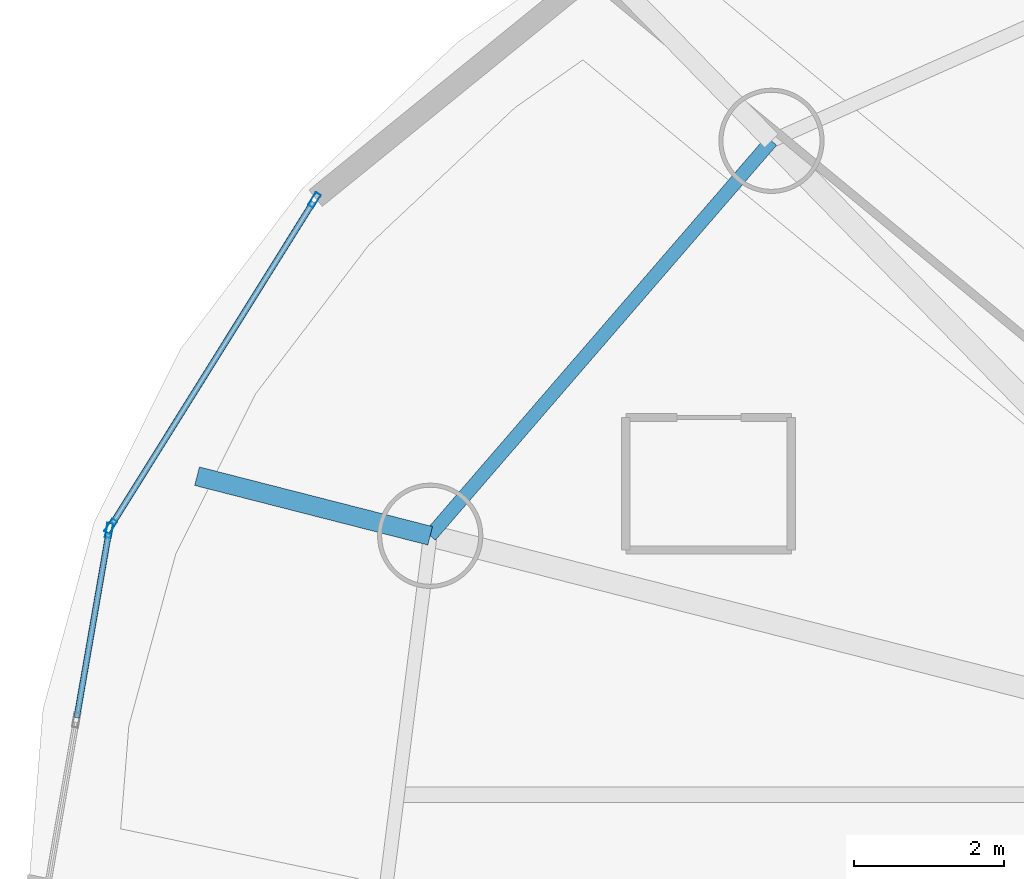
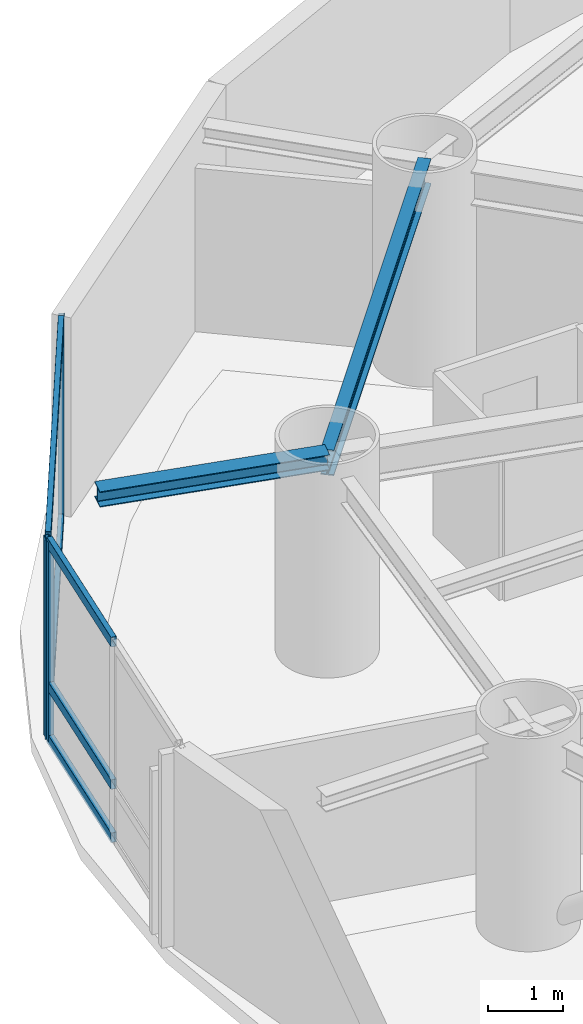
# One storey, part 10 of 22: 8 members, 2 beams, 2 elements without a shape of their own.
"""IFC4 building model written with IfcOpenShell, lengths in metres."""

from ifc_helpers import new_model, si_unit, direction, frame, origin, origin_2d, place, context, subcontext, project, spatial, hollow_rectangle, i_section, extrude, material, layer, layer_set, material_profile, profile_set, type_object, element, aggregate, save


model = new_model("IFC4")

# Units and contexts
model_context = context("Model", 3, precision=1e-05, world=origin(), true_north=direction((0.0, 1.0)))
body_context = subcontext(model_context, "Body", "Model", "MODEL_VIEW")
ifc_project = project(units=[si_unit("LENGTHUNIT", "METRE"), si_unit("AREAUNIT", "SQUARE_METRE"), si_unit("VOLUMEUNIT", "CUBIC_METRE"), si_unit("PLANEANGLEUNIT", "RADIAN"), si_unit("MASSUNIT", "GRAM", prefix="KILO")], contexts=[model_context])

# Site, building, storey
site_placement = place(None, origin())
site = spatial("IfcSite", under=ifc_project, at=site_placement, CompositionType="ELEMENT")
building_placement = place(site_placement, origin())
building = spatial("IfcBuilding", under=site, at=building_placement, Name="Bramvorn Convention Spire", CompositionType="ELEMENT")
storey_placement = place(building_placement, frame((0.0, 0.0, 116.800048828125)))
storey = spatial("IfcBuildingStorey", under=building, at=storey_placement, Name="L28", CompositionType="ELEMENT", Elevation=116.800048828125)

# Beams
ifc_material_1 = material(Name="Steel CSA G40.21 Grade 350 (350W)", Category="steel")
ifc_material_profile_1 = material_profile(ifc_material_1, i_section(OverallWidth=0.25390625, OverallDepth=0.2529296875, WebThickness=0.008544921875, FlangeThickness=0.01416015625, FilletRadius=0.011962890625, at=origin_2d()))
ifc_profile_set_1 = profile_set([ifc_material_profile_1], Name="Steel CSA G40.21 Grade 350 (350W) - W250X73")
beam_type_1 = type_object("IfcBeamType", Name="BM-W250X73", PredefinedType="BEAM", material=ifc_profile_set_1)
beam_1_placement = place(storey_placement, frame((13.88232421875, 36.73779296875, 3.133544921875), z_axis=(-0.968868276357, 0.24757678217, 0.0), x_axis=(-0.24757678217, -0.968868276357, 0.0)))
element("IfcBeam", 1, at=beam_1_placement, inside=storey, type_object=beam_type_1, Name="L28 slab-edge cantilever tip beam MC09", PredefinedType="BEAM", context=body_context, shape_type="SweptSolid", body=[
    extrude(i_section(OverallWidth=0.25390625, OverallDepth=0.2529296875, WebThickness=0.008544921875, FlangeThickness=0.01416015625, FilletRadius=0.011962890625, at=origin_2d()), origin(), (0.0, 0.0, 1.0), 3.199951171875),
])
ifc_material_profile_2 = material_profile(ifc_material_1, i_section(OverallWidth=0.180908203125, OverallDepth=0.4169921875, WebThickness=0.010986328125, FlangeThickness=0.018310546875, FilletRadius=0.01611328125, at=origin_2d()))
ifc_profile_set_2 = profile_set([ifc_material_profile_2], Name="Steel CSA G40.21 Grade 350 (350W) - W410X85")
beam_type_2 = type_object("IfcBeamType", Name="BM-W410X85", PredefinedType="JOIST", material=ifc_profile_set_2)
beam_2_placement = place(storey_placement, frame((18.420166015625, 41.9892578125, 3.051513671875), z_axis=(-0.653824993824, -0.756645807132, 0.0), x_axis=(0.756645807132, -0.653824993824, 0.0)))
element("IfcBeam", 2, at=beam_2_placement, inside=storey, type_object=beam_type_2, Name="L28 mega-column ring beam 08", PredefinedType="JOIST", context=body_context, shape_type="SweptSolid", body=[
    extrude(i_section(OverallWidth=0.180908203125, OverallDepth=0.4169921875, WebThickness=0.010986328125, FlangeThickness=0.018310546875, FilletRadius=0.01611328125, at=origin_2d()), origin(), (0.0, 0.0, 1.0), 6.9404296875),
])

# Curtain wall, members
ifc_material_2 = material(Name="Anodised Bronze Unitised Curtain Wall", Category="aluminium")
ifc_layer = layer(ifc_material_2, 0.179931640625)
ifc_layer_set = layer_set([ifc_layer], Name="Anodised Bronze Unitised Curtain Wall - CW-HTL-FRIT")
curtain_wall_type = type_object("IfcCurtainWallType", Name="CW-HTL-FRIT", PredefinedType="USERDEFINED", material=ifc_layer_set)
curtain_wall_1_placement = place(storey_placement, origin())
curtain_wall_1 = element("IfcCurtainWall", 3, at=curtain_wall_1_placement, inside=storey, type_object=curtain_wall_type, Name="L28 fritted glass curtain wall 12", ObjectType="UNITISED CURTAIN WALL", PredefinedType="USERDEFINED")
ifc_material_3 = material(Name="Anodised Bronze Aluminium 6063-T6", Category="aluminium")
ifc_material_profile_3 = material_profile(ifc_material_3, hollow_rectangle(XDim=0.080078125, YDim=0.199951171875, WallThickness=0.00390625, InnerFilletRadius=0.0009765625, OuterFilletRadius=0.00390625, at=origin_2d()))
ifc_profile_set_3 = profile_set([ifc_material_profile_3], Name="Anodised Bronze Aluminium 6063-T6 - CWM80X200")
member_type_1 = type_object("IfcMemberType", Name="CW-MUL-180", PredefinedType="MULLION", material=ifc_profile_set_3)
member_1_placement = place(storey_placement, frame((9.634765625, 36.863037109375, 0.0), z_axis=(0.0, 0.0, 1.0), x_axis=(-0.848249016174, 0.52959758927, 0.0)))
member_1 = element("IfcMember", 4, at=member_1_placement, type_object=member_type_1, Name="CW2 mullion 1", PredefinedType="MULLION", context=body_context, shape_type="SweptSolid", body=[
    extrude(hollow_rectangle(XDim=0.080078125, YDim=0.199951171875, WallThickness=0.00390625, InnerFilletRadius=0.0009765625, OuterFilletRadius=0.00390625, at=origin_2d()), origin(), (0.0, 0.0, 1.0), 3.260009765625),
])
member_2_placement = place(storey_placement, frame((12.34326171875, 41.201416015625, 0.0), z_axis=(0.0, 0.0, 1.0), x_axis=(-0.848249016174, 0.52959758927, 0.0)))
member_2 = element("IfcMember", 5, at=member_2_placement, type_object=member_type_1, Name="CW2 mullion 2", PredefinedType="MULLION", context=body_context, shape_type="SweptSolid", body=[
    extrude(hollow_rectangle(XDim=0.080078125, YDim=0.199951171875, WallThickness=0.00390625, InnerFilletRadius=0.0009765625, OuterFilletRadius=0.00390625, at=origin_2d()), origin(), (0.0, 0.0, 1.0), 3.260009765625),
])

# Curtain wall, member
curtain_wall_2_placement = place(storey_placement, origin())
curtain_wall_2 = element("IfcCurtainWall", 6, at=curtain_wall_2_placement, inside=storey, type_object=curtain_wall_type, Name="L28 fritted glass curtain wall 13", ObjectType="UNITISED CURTAIN WALL", PredefinedType="USERDEFINED")
member_3_placement = place(storey_placement, frame((9.61376953125, 36.80810546875, 0.0), z_axis=(0.0, 0.0, 1.0), x_axis=(-0.985341823442, 0.170591591163, 0.0)))
member_3 = element("IfcMember", 7, at=member_3_placement, type_object=member_type_1, Name="CW2 mullion 3", PredefinedType="MULLION", context=body_context, shape_type="SweptSolid", body=[
    extrude(hollow_rectangle(XDim=0.080078125, YDim=0.199951171875, WallThickness=0.00390625, InnerFilletRadius=0.0009765625, OuterFilletRadius=0.00390625, at=origin_2d()), origin(), (0.0, 0.0, 1.0), 3.260009765625),
])

# Member
ifc_material_profile_4 = material_profile(ifc_material_3, hollow_rectangle(XDim=0.080078125, YDim=0.159912109375, WallThickness=0.00390625, InnerFilletRadius=0.0009765625, OuterFilletRadius=0.00390625, at=origin_2d()))
ifc_profile_set_4 = profile_set([ifc_material_profile_4], Name="Anodised Bronze Aluminium 6063-T6 - CWT80X160")
member_type_2 = type_object("IfcMemberType", Name="CW-TRN-150", PredefinedType="USERDEFINED", material=ifc_profile_set_4)
member_4_placement = place(storey_placement, frame((9.650634765625, 36.888671875, 0.030029296875), z_axis=(0.529595087788, 0.848250577949, 0.0), x_axis=(-0.848250577949, 0.529595087788, 0.0)))
member_4 = element("IfcMember", 8, at=member_4_placement, type_object=member_type_2, Name="CW2 transom 1.1", ObjectType="TRANSOM", PredefinedType="USERDEFINED", context=body_context, shape_type="SweptSolid", body=[
    extrude(hollow_rectangle(XDim=0.080078125, YDim=0.159912109375, WallThickness=0.00390625, InnerFilletRadius=0.0009765625, OuterFilletRadius=0.00390625, at=origin_2d()), origin(), (0.0, 0.0, 1.0), 5.054443359375),
])

member_5_placement = place(storey_placement, frame((9.650634765625, 36.888671875, 3.22998046875), z_axis=(0.529595087788, 0.848250577949, 0.0), x_axis=(-0.848250577949, 0.529595087788, 0.0)))
member_5 = element("IfcMember", 9, at=member_5_placement, type_object=member_type_2, Name="CW2 transom 1.2", ObjectType="TRANSOM", PredefinedType="USERDEFINED", context=body_context, shape_type="SweptSolid", body=[
    extrude(hollow_rectangle(XDim=0.080078125, YDim=0.159912109375, WallThickness=0.00390625, InnerFilletRadius=0.0009765625, OuterFilletRadius=0.00390625, at=origin_2d()), origin(), (0.0, 0.0, 1.0), 5.054443359375),
])

aggregate(curtain_wall_1, [member_1, member_2, member_4, member_5])

member_6_placement = place(storey_placement, frame((9.1826171875, 34.318115234375, 0.030029296875), z_axis=(0.170610803466, 0.985338497036, 0.0), x_axis=(-0.985338497036, 0.170610803466, 0.0)))
member_6 = element("IfcMember", 10, at=member_6_placement, type_object=member_type_2, Name="CW2 transom 2.1", ObjectType="TRANSOM", PredefinedType="USERDEFINED", context=body_context, shape_type="SweptSolid", body=[
    extrude(hollow_rectangle(XDim=0.080078125, YDim=0.159912109375, WallThickness=0.00390625, InnerFilletRadius=0.0009765625, OuterFilletRadius=0.00390625, at=origin_2d()), origin(), (0.0, 0.0, 1.0), 2.4970703125),
])

member_7_placement = place(storey_placement, frame((9.1826171875, 34.318115234375, 0.89990234375), z_axis=(0.170610803466, 0.985338497036, 0.0), x_axis=(-0.985338497036, 0.170610803466, 0.0)))
member_7 = element("IfcMember", 11, at=member_7_placement, type_object=member_type_2, Name="CW2 transom 2.2", ObjectType="TRANSOM", PredefinedType="USERDEFINED", context=body_context, shape_type="SweptSolid", body=[
    extrude(hollow_rectangle(XDim=0.080078125, YDim=0.159912109375, WallThickness=0.00390625, InnerFilletRadius=0.0009765625, OuterFilletRadius=0.00390625, at=origin_2d()), origin(), (0.0, 0.0, 1.0), 2.4970703125),
])

member_8_placement = place(storey_placement, frame((9.1826171875, 34.318115234375, 3.22998046875), z_axis=(0.170610803466, 0.985338497036, 0.0), x_axis=(-0.985338497036, 0.170610803466, 0.0)))
member_8 = element("IfcMember", 12, at=member_8_placement, type_object=member_type_2, Name="CW2 transom 2.3", ObjectType="TRANSOM", PredefinedType="USERDEFINED", context=body_context, shape_type="SweptSolid", body=[
    extrude(hollow_rectangle(XDim=0.080078125, YDim=0.159912109375, WallThickness=0.00390625, InnerFilletRadius=0.0009765625, OuterFilletRadius=0.00390625, at=origin_2d()), origin(), (0.0, 0.0, 1.0), 2.4970703125),
])

aggregate(curtain_wall_2, [member_3, member_6, member_7, member_8])

save(model, "model.ifc")
